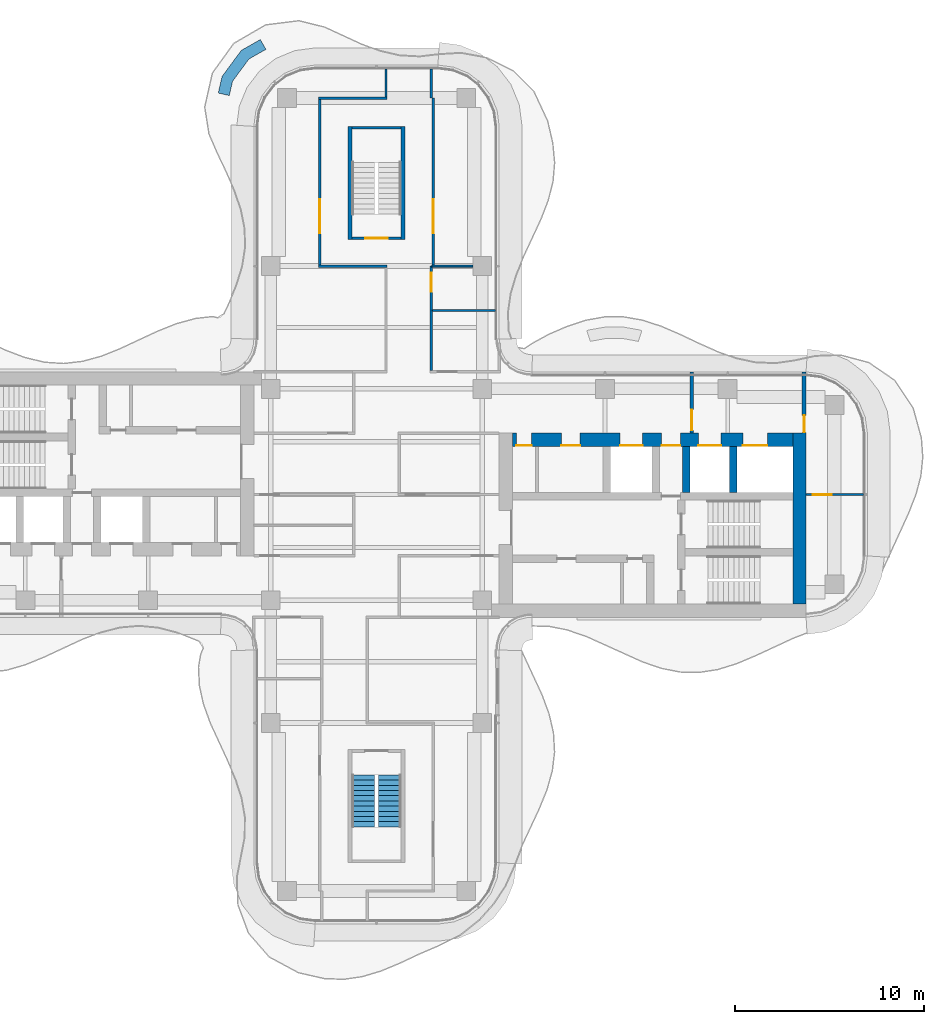
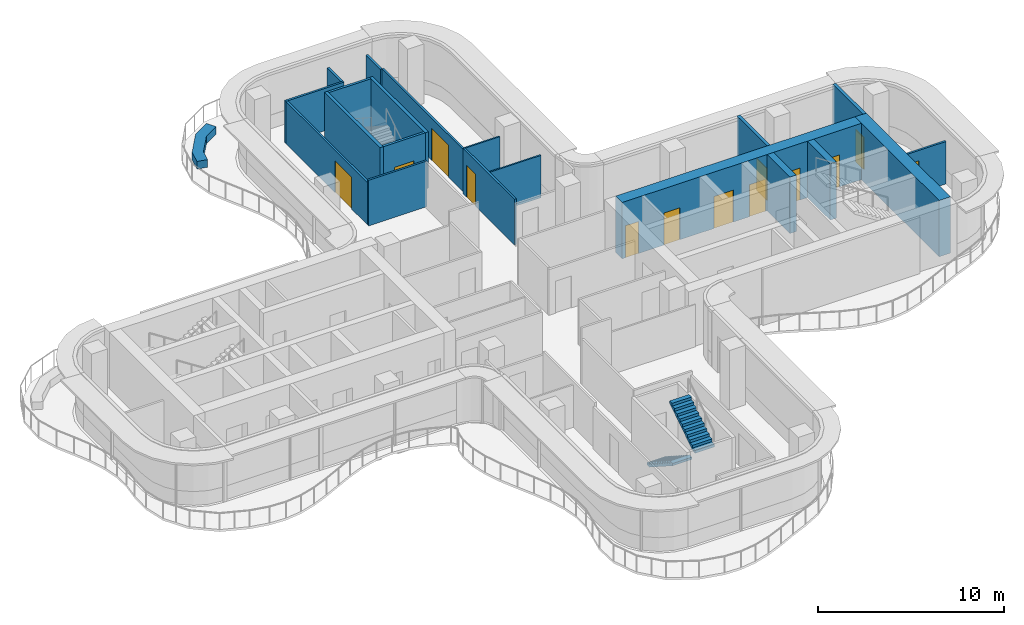
# One storey, part 14 of 17: 21 walls, 13 doors, 2 stair flights, 13 openings, 1 element without a shape of its own.
"""IFC4 building model written with IfcOpenShell, lengths in metres."""

from ifc_helpers import new_model, si_unit, direction, frame, frame_2d, origin, place, context, subcontext, project, spatial, polyline, rectangle, outline, extrude, source, transform, mapped, material, layer, layer_set, type_object, element, fill, aggregate, save


model = new_model("IFC4")

# Units and contexts
model_context = context("Model", 3, precision=1e-05, world=origin(), true_north=direction((0.0, 1.0)))
body_context = subcontext(model_context, "Body", "Model", "MODEL_VIEW")
ifc_project = project(units=[si_unit("LENGTHUNIT", "METRE"), si_unit("AREAUNIT", "SQUARE_METRE"), si_unit("VOLUMEUNIT", "CUBIC_METRE"), si_unit("PLANEANGLEUNIT", "RADIAN"), si_unit("MASSUNIT", "GRAM", prefix="KILO")], contexts=[model_context])

# Site, building, storey
site_placement = place(None, origin())
site = spatial("IfcSite", under=ifc_project, at=site_placement, CompositionType="ELEMENT")
building_placement = place(site_placement, origin())
building = spatial("IfcBuilding", under=site, at=building_placement, Name="Trellis Farm Tower", CompositionType="ELEMENT")
storey_placement = place(building_placement, frame((0.0, 0.0, 283.300048828125)))
storey = spatial("IfcBuildingStorey", under=building, at=storey_placement, Name="L63", CompositionType="ELEMENT", Elevation=283.300048828125)

# Walls
ifc_material_1 = material(Name="Sandstone faced masonry planter", Category="masonry")
ifc_layer_1 = layer(ifc_material_1, 0.60009765625)
ifc_layer_set_1 = layer_set([ifc_layer_1], Name="PLANTER BED 600")
wall_type_1 = type_object("IfcWallType", Name="PLANTER BED 600", PredefinedType="USERDEFINED", material=ifc_layer_set_1)
placement = place(storey_placement, origin())
element("IfcWall", 1, at=placement, inside=storey, type_object=wall_type_1, Name="PLANTER bed", ObjectType="PLANTER", PredefinedType="USERDEFINED", context=body_context, shape_type="SweptSolid", body=[
    extrude(outline(polyline([(-7.162353515625, 23.52880859375), (-6.1552734375, 24.101806640625), (-5.858642578125, 23.580078125), (-6.755126953125, 23.0703125), (-7.624755859375, 21.890869140625), (-7.79736328125, 21.1337890625), (-8.38232421875, 21.26708984375), (-8.181884765625, 22.146240234375), (-7.162353515625, 23.52880859375)])), origin(), (0.0, 0.0, 1.0), 0.5),
])
ifc_material_2 = material(Name="Concrete C50/60", Category="concrete")
ifc_layer_2 = layer(ifc_material_2, 0.699951171875)
ifc_layer_set_2 = layer_set([ifc_layer_2], Name="CORE OUTER WALL 700 CONCRETE C50/60")
wall_type_2 = type_object("IfcWallType", Name="CORE OUTER WALL 700 CONCRETE C50/60", PredefinedType="SHEAR", material=ifc_layer_set_2)
shared_shape_1 = source(origin(), body_context, "Body", "SweptSolid", [
    extrude(rectangle(XDim=9.050048828125, YDim=0.699951171875, at=frame_2d((4.52490234375, 0.0))), origin(), (0.0, 0.0, 1.0), 3.699951171875),
])
wall_2_placement = place(storey_placement, frame((22.39990234375, -5.800048828125, 0.0), z_axis=(0.0, 0.0, 1.0), x_axis=(0.0, 1.0, 0.0)))
element("IfcWall", 2, at=wall_2_placement, inside=storey, type_object=wall_type_2, Name="Core wall", PredefinedType="SHEAR", context=body_context, shape_type="MappedRepresentation", body=[
    mapped(shared_shape_1, transform((0.0, 0.0, 0.0))),
])
ifc_layer_3 = layer(ifc_material_2, 0.39990234375)
ifc_layer_set_3 = layer_set([ifc_layer_3], Name="CORE INNER WALL 400 CONCRETE C50/60")
wall_type_3 = type_object("IfcWallType", Name="CORE INNER WALL 400 CONCRETE C50/60", PredefinedType="SHEAR", material=ifc_layer_set_3)
shared_shape_2 = source(origin(), body_context, "Body", "SweptSolid", [
    extrude(rectangle(XDim=2.449951171875, YDim=0.39990234375, at=frame_2d((1.22509765625, 0.0))), origin(), (0.0, 0.0, 1.0), 3.699951171875),
])
for number, where, z_axis, x_axis, name in (
    (3, (16.39990234375, 0.10009765625, 0.0), (0.0, 0.0, 1.0), (0.0, 1.0, 0.0), "Core wall"),
    (4, (18.89990234375, 0.10009765625, 0.0), (0.0, 0.0, 1.0), (0.0, 1.0, 0.0), "Core wall"),
):
    element("IfcWall", number, at=place(storey_placement, frame(where, z_axis=z_axis, x_axis=x_axis)), inside=storey, type_object=wall_type_3, Name=name, PredefinedType="SHEAR", context=body_context, shape_type="MappedRepresentation", body=[
        mapped(shared_shape_2, transform((0.0, 0.0, 0.0))),
    ])

# Wall, opening, door
ifc_material_3 = material(Name="Masonry blockwork", Category="masonry")
ifc_layer_4 = layer(ifc_material_3, 0.199951171875)
ifc_layer_set_4 = layer_set([ifc_layer_4], Name="FIRE LOBBY PARTITION 200 BLOCKWORK")
wall_type_4 = type_object("IfcWallType", Name="FIRE LOBBY PARTITION 200 BLOCKWORK", PredefinedType="PARTITIONING", material=ifc_layer_set_4)
shared_shape_3 = source(origin(), body_context, "Body", "SweptSolid", [
    extrude(rectangle(XDim=3.25, YDim=0.199951171875, at=frame_2d((1.625, 0.0))), origin(), (0.0, 0.0, 1.0), 3.699951171875),
])
wall_3_placement = place(storey_placement, frame((16.699951171875, 3.25, 0.0), z_axis=(0.0, 0.0, 1.0), x_axis=(0.0, 1.0, 0.0)))
wall_3 = element("IfcWall", 5, at=wall_3_placement, inside=storey, type_object=wall_type_4, Name="Fire-fighting lobby partition", PredefinedType="PARTITIONING", context=body_context, shape_type="MappedRepresentation", body=[
    mapped(shared_shape_3, transform((0.0, 0.0, 0.0))),
])
shared_shape_4 = source(origin(), body_context, "Body", "SweptSolid", [
    extrude(rectangle(XDim=1.10009765625, YDim=2.10009765625, at=frame_2d((0.550048828125, 1.050048828125))), frame((0.0, 0.110107421875, 0.0), z_axis=(0.0, -1.0, 0.0), x_axis=(1.0, 0.0, 0.0)), (0.0, 0.0, 1.0), 0.22021484375),
])
opening_1_placement = place(wall_3_placement, frame((0.14990234375, 0.0, 0.0)))
opening_1 = element("IfcOpeningElement", 6, at=opening_1_placement, cuts=wall_3, Name="Opening DC7", PredefinedType="OPENING", context=body_context, shape_type="MappedRepresentation", body=[
    mapped(shared_shape_4, transform((0.0, 0.0, 0.0))),
])
ifc_material_4 = material(Name="Steel", Category="steel")
door_type_1 = type_object("IfcDoorType", Name="CORE FIRE DOOR 1100 X 2100", OperationType="NOTDEFINED", PredefinedType="DOOR", material=ifc_material_4)
shared_shape_5 = source(origin(), body_context, "Body", "SweptSolid", [
    extrude(rectangle(XDim=1.10009765625, YDim=2.10009765625, at=frame_2d((0.550048828125, 1.050048828125))), frame((0.0, 0.02490234375, 0.0), z_axis=(0.0, -1.0, 0.0), x_axis=(1.0, 0.0, 0.0)), (0.0, 0.0, 1.0), 0.050048828125),
])
door_1_placement = place(opening_1_placement, origin())
door_1 = element("IfcDoor", 7, at=door_1_placement, inside=storey, type_object=door_type_1, Name="Core door", OperationType="SINGLE_SWING_RIGHT", OverallHeight=2.10009765625, OverallWidth=1.10009765625, PredefinedType="DOOR", context=body_context, shape_type="MappedRepresentation", body=[
    mapped(shared_shape_5, transform((0.0, 0.0, 0.0))),
])
fill(opening_1, door_1)

wall_4_placement = place(storey_placement, frame((22.64990234375, 3.25, 0.0), z_axis=(0.0, 0.0, 1.0), x_axis=(0.0, 1.0, 0.0)))
wall_4 = element("IfcWall", 8, at=wall_4_placement, inside=storey, type_object=wall_type_4, Name="Fire-fighting lobby partition", PredefinedType="PARTITIONING", context=body_context, shape_type="MappedRepresentation", body=[
    mapped(shared_shape_3, transform((0.0, 0.0, 0.0))),
])
shared_shape_6 = source(origin(), body_context, "Body", "SweptSolid", [
    extrude(rectangle(XDim=0.89990234375, YDim=2.10009765625, at=frame_2d((0.449951171875, 1.050048828125))), frame((0.0, 0.110107421875, 0.0), z_axis=(0.0, -1.0, 0.0), x_axis=(1.0, 0.0, 0.0)), (0.0, 0.0, 1.0), 0.22021484375),
])
opening_2_placement = place(wall_4_placement, frame((0.050048828125, 0.0, 0.0)))
opening_2 = element("IfcOpeningElement", 9, at=opening_2_placement, cuts=wall_4, Name="Opening DC8", PredefinedType="OPENING", context=body_context, shape_type="MappedRepresentation", body=[
    mapped(shared_shape_6, transform((0.0, 0.0, 0.0))),
])
door_type_2 = type_object("IfcDoorType", Name="CORE FIRE DOOR 900 X 2100", OperationType="NOTDEFINED", PredefinedType="DOOR", material=ifc_material_4)
shared_shape_7 = source(origin(), body_context, "Body", "SweptSolid", [
    extrude(rectangle(XDim=0.89990234375, YDim=2.10009765625, at=frame_2d((0.449951171875, 1.050048828125))), frame((0.0, 0.02490234375, 0.0), z_axis=(0.0, -1.0, 0.0), x_axis=(1.0, 0.0, 0.0)), (0.0, 0.0, 1.0), 0.050048828125),
])
door_2_placement = place(opening_2_placement, origin())
door_2 = element("IfcDoor", 10, at=door_2_placement, inside=storey, type_object=door_type_2, Name="Core door", OperationType="SINGLE_SWING_RIGHT", OverallHeight=2.10009765625, OverallWidth=0.89990234375, PredefinedType="DOOR", context=body_context, shape_type="MappedRepresentation", body=[
    mapped(shared_shape_7, transform((0.0, 0.0, 0.0))),
])
fill(opening_2, door_2)

# Wall, openings, doors
shared_shape_8 = source(origin(), body_context, "Body", "SweptSolid", [
    extrude(rectangle(XDim=14.85009765625, YDim=0.699951171875, at=frame_2d((7.425048828125, 0.0))), origin(), (0.0, 0.0, 1.0), 3.699951171875),
])
wall_5_placement = place(storey_placement, frame((7.199951171875, 2.89990234375, 0.0), z_axis=(0.0, 0.0, 1.0), x_axis=(1.0, 0.0, 0.0)))
wall_5 = element("IfcWall", 11, at=wall_5_placement, inside=storey, type_object=wall_type_2, Name="Core wall", PredefinedType="SHEAR", context=body_context, shape_type="MappedRepresentation", body=[
    mapped(shared_shape_8, transform((0.0, 0.0, 0.0))),
])
shared_shape_9 = source(origin(), body_context, "Body", "SweptSolid", [
    extrude(rectangle(XDim=1.199951171875, YDim=2.10009765625, at=frame_2d((0.60009765625, 1.050048828125))), frame((0.0, 0.360107421875, 0.0), z_axis=(0.0, -1.0, 0.0), x_axis=(1.0, 0.0, 0.0)), (0.0, 0.0, 1.0), 0.72021484375),
])
opening_3_placement = place(wall_5_placement, frame((5.699951171875, 0.0, 0.0)))
opening_3 = element("IfcOpeningElement", 12, at=opening_3_placement, cuts=wall_5, Name="Opening LD6", PredefinedType="OPENING", context=body_context, shape_type="MappedRepresentation", body=[
    mapped(shared_shape_9, transform((0.0, 0.0, 0.0))),
])
shared_shape_10 = source(origin(), body_context, "Body", "SweptSolid", [
    extrude(rectangle(XDim=1.300048828125, YDim=2.10009765625, at=frame_2d((0.64990234375, 1.050048828125))), frame((0.0, 0.360107421875, 0.0), z_axis=(0.0, -1.0, 0.0), x_axis=(1.0, 0.0, 0.0)), (0.0, 0.0, 1.0), 0.72021484375),
])
opening_4_placement = place(wall_5_placement, frame((12.199951171875, 0.0, 0.0)))
opening_4 = element("IfcOpeningElement", 13, at=opening_4_placement, cuts=wall_5, Name="Opening LD7", PredefinedType="OPENING", context=body_context, shape_type="MappedRepresentation", body=[
    mapped(shared_shape_10, transform((0.0, 0.0, 0.0))),
])
opening_5_placement = place(wall_5_placement, frame((9.85009765625, 0.0, 0.0)))
opening_5 = element("IfcOpeningElement", 14, at=opening_5_placement, cuts=wall_5, Name="Opening LD8", PredefinedType="OPENING", context=body_context, shape_type="MappedRepresentation", body=[
    mapped(shared_shape_9, transform((0.0, 0.0, 0.0))),
])
shared_shape_11 = source(origin(), body_context, "Body", "SweptSolid", [
    extrude(rectangle(XDim=1.0, YDim=2.10009765625, at=frame_2d((0.5, 1.050048828125))), frame((0.0, 0.360107421875, 0.0), z_axis=(0.0, -1.0, 0.0), x_axis=(1.0, 0.0, 0.0)), (0.0, 0.0, 1.0), 0.72021484375),
])
opening_6_placement = place(wall_5_placement, frame((7.89990234375, 0.0, 0.0)))
opening_6 = element("IfcOpeningElement", 15, at=opening_6_placement, cuts=wall_5, Name="Opening DC6", PredefinedType="OPENING", context=body_context, shape_type="MappedRepresentation", body=[
    mapped(shared_shape_11, transform((0.0, 0.0, 0.0))),
])
shared_shape_12 = source(origin(), body_context, "Body", "SweptSolid", [
    extrude(rectangle(XDim=0.800048828125, YDim=2.10009765625, at=frame_2d((0.39990234375, 1.050048828125))), frame((0.0, 0.360107421875, 0.0), z_axis=(0.0, -1.0, 0.0), x_axis=(1.0, 0.0, 0.0)), (0.0, 0.0, 1.0), 0.72021484375),
])
opening_7_placement = place(wall_5_placement, frame((0.21240234375, 0.0, 0.0)))
opening_7 = element("IfcOpeningElement", 16, at=opening_7_placement, cuts=wall_5, Name="Opening DC9", PredefinedType="OPENING", context=body_context, shape_type="MappedRepresentation", body=[
    mapped(shared_shape_12, transform((0.0, 0.0, 0.0))),
])
opening_8_placement = place(wall_5_placement, frame((2.58740234375, 0.0, 0.0)))
opening_8 = element("IfcOpeningElement", 17, at=opening_8_placement, cuts=wall_5, Name="Opening DC20", PredefinedType="OPENING", context=body_context, shape_type="MappedRepresentation", body=[
    mapped(shared_shape_11, transform((0.0, 0.0, 0.0))),
])
door_type_3 = type_object("IfcDoorType", Name="CORE FIRE DOOR 1000 X 2100", OperationType="NOTDEFINED", PredefinedType="DOOR", material=ifc_material_4)
shared_shape_13 = source(origin(), body_context, "Body", "SweptSolid", [
    extrude(rectangle(XDim=1.0, YDim=2.10009765625, at=frame_2d((0.5, 1.050048828125))), frame((0.0, -0.27490234375, 0.0), z_axis=(0.0, -1.0, 0.0), x_axis=(1.0, 0.0, 0.0)), (0.0, 0.0, 1.0), 0.050048828125),
])
door_3_placement = place(opening_6_placement, origin())
door_3 = element("IfcDoor", 18, at=door_3_placement, inside=storey, type_object=door_type_3, Name="Core door", OperationType="SINGLE_SWING_LEFT", OverallHeight=2.10009765625, OverallWidth=1.0, PredefinedType="DOOR", context=body_context, shape_type="MappedRepresentation", body=[
    mapped(shared_shape_13, transform((0.0, 0.0, 0.0))),
])
fill(opening_6, door_3)
door_4_placement = place(opening_8_placement, origin())
door_4 = element("IfcDoor", 19, at=door_4_placement, inside=storey, type_object=door_type_3, Name="Core door", OperationType="SINGLE_SWING_RIGHT", OverallHeight=2.10009765625, OverallWidth=1.0, PredefinedType="DOOR", context=body_context, shape_type="MappedRepresentation", body=[
    mapped(shared_shape_13, transform((0.0, 0.0, 0.0))),
])
fill(opening_8, door_4)
ifc_material_5 = material(Name="Stainless steel", Category="steel")
door_type_4 = type_object("IfcDoorType", Name="LIFT LANDING DOOR 1300 X 2100", OperationType="DOUBLE_DOOR_SLIDING", PredefinedType="DOOR", material=ifc_material_5)
shared_shape_14 = source(origin(), body_context, "Body", "SweptSolid", [
    extrude(rectangle(XDim=1.300048828125, YDim=2.10009765625, at=frame_2d((0.64990234375, 1.050048828125))), frame((0.0, -0.27490234375, 0.0), z_axis=(0.0, -1.0, 0.0), x_axis=(1.0, 0.0, 0.0)), (0.0, 0.0, 1.0), 0.050048828125),
])
door_5_placement = place(opening_4_placement, origin())
door_5 = element("IfcDoor", 20, at=door_5_placement, inside=storey, type_object=door_type_4, Name="Lift landing door", OperationType="DOUBLE_DOOR_SLIDING", OverallHeight=2.10009765625, OverallWidth=1.300048828125, PredefinedType="DOOR", context=body_context, shape_type="MappedRepresentation", body=[
    mapped(shared_shape_14, transform((0.0, 0.0, 0.0))),
])
fill(opening_4, door_5)
door_type_5 = type_object("IfcDoorType", Name="LIFT LANDING DOOR 1200 X 2100", OperationType="DOUBLE_DOOR_SLIDING", PredefinedType="DOOR", material=ifc_material_5)
shared_shape_15 = source(origin(), body_context, "Body", "SweptSolid", [
    extrude(rectangle(XDim=1.199951171875, YDim=2.10009765625, at=frame_2d((0.60009765625, 1.050048828125))), frame((0.0, -0.27490234375, 0.0), z_axis=(0.0, -1.0, 0.0), x_axis=(1.0, 0.0, 0.0)), (0.0, 0.0, 1.0), 0.050048828125),
])
door_6_placement = place(opening_3_placement, origin())
door_6 = element("IfcDoor", 21, at=door_6_placement, inside=storey, type_object=door_type_5, Name="Lift landing door", OperationType="DOUBLE_DOOR_SLIDING", OverallHeight=2.10009765625, OverallWidth=1.199951171875, PredefinedType="DOOR", context=body_context, shape_type="MappedRepresentation", body=[
    mapped(shared_shape_15, transform((0.0, 0.0, 0.0))),
])
fill(opening_3, door_6)
door_7_placement = place(opening_5_placement, origin())
door_7 = element("IfcDoor", 22, at=door_7_placement, inside=storey, type_object=door_type_5, Name="Lift landing door", OperationType="DOUBLE_DOOR_SLIDING", OverallHeight=2.10009765625, OverallWidth=1.199951171875, PredefinedType="DOOR", context=body_context, shape_type="MappedRepresentation", body=[
    mapped(shared_shape_15, transform((0.0, 0.0, 0.0))),
])
fill(opening_5, door_7)
door_type_6 = type_object("IfcDoorType", Name="CORE FIRE DOOR 800 X 2100", OperationType="NOTDEFINED", PredefinedType="DOOR", material=ifc_material_4)
shared_shape_16 = source(origin(), body_context, "Body", "SweptSolid", [
    extrude(rectangle(XDim=0.800048828125, YDim=2.10009765625, at=frame_2d((0.39990234375, 1.050048828125))), frame((0.0, -0.27490234375, 0.0), z_axis=(0.0, -1.0, 0.0), x_axis=(1.0, 0.0, 0.0)), (0.0, 0.0, 1.0), 0.050048828125),
])
door_8_placement = place(opening_7_placement, origin())
door_8 = element("IfcDoor", 23, at=door_8_placement, inside=storey, type_object=door_type_6, Name="Core door", OperationType="SINGLE_SWING_LEFT", OverallHeight=2.10009765625, OverallWidth=0.800048828125, PredefinedType="DOOR", context=body_context, shape_type="MappedRepresentation", body=[
    mapped(shared_shape_16, transform((0.0, 0.0, 0.0))),
])
fill(opening_7, door_8)

# Walls
ifc_layer_5 = layer(ifc_material_2, 0.199951171875)
ifc_layer_set_5 = layer_set([ifc_layer_5], Name="CORE STAIR ENCLOSURE WALL 200 CONCRETE C50/60")
wall_type_5 = type_object("IfcWallType", Name="CORE STAIR ENCLOSURE WALL 200 CONCRETE C50/60", PredefinedType="SHEAR", material=ifc_layer_set_5)
shared_shape_17 = source(origin(), body_context, "Body", "SweptSolid", [
    extrude(rectangle(XDim=6.0, YDim=0.199951171875, at=frame_2d((3.0, 0.0))), origin(), (0.0, 0.0, 1.0), 3.699951171875),
])
for number, where, z_axis, x_axis, name in (
    (24, (-1.39990234375, 13.5, 0.0), (0.0, 0.0, 1.0), (0.0, 1.0, 0.0), "Stair enclosure wall"),
    (25, (1.39990234375, 13.5, 0.0), (0.0, 0.0, 1.0), (0.0, 1.0, 0.0), "Stair enclosure wall"),
):
    element("IfcWall", number, at=place(storey_placement, frame(where, z_axis=z_axis, x_axis=x_axis)), inside=storey, type_object=wall_type_5, Name=name, PredefinedType="SHEAR", context=body_context, shape_type="MappedRepresentation", body=[
        mapped(shared_shape_17, transform((0.0, 0.0, 0.0))),
    ])

# Wall, opening, door
ifc_layer_6 = layer(ifc_material_2, 0.14990234375)
ifc_layer_set_6 = layer_set([ifc_layer_6], Name="CORE STAIR ENCLOSURE WALL 150 CONCRETE C50/60")
wall_type_6 = type_object("IfcWallType", Name="CORE STAIR ENCLOSURE WALL 150 CONCRETE C50/60", PredefinedType="SHEAR", material=ifc_layer_set_6)
shared_shape_18 = source(origin(), body_context, "Body", "SweptSolid", [
    extrude(rectangle(XDim=2.60009765625, YDim=0.14990234375, at=frame_2d((1.300048828125, 0.0))), origin(), (0.0, 0.0, 1.0), 3.699951171875),
])
wall_6_placement = place(storey_placement, frame((-1.300048828125, 13.574951171875, 0.0), z_axis=(0.0, 0.0, 1.0), x_axis=(1.0, 0.0, 0.0)))
wall_6 = element("IfcWall", 26, at=wall_6_placement, inside=storey, type_object=wall_type_6, Name="Stair enclosure wall", PredefinedType="SHEAR", context=body_context, shape_type="MappedRepresentation", body=[
    mapped(shared_shape_18, transform((0.0, 0.0, 0.0))),
])
shared_shape_19 = source(origin(), body_context, "Body", "SweptSolid", [
    extrude(rectangle(XDim=1.199951171875, YDim=2.10009765625, at=frame_2d((0.60009765625, 1.050048828125))), frame((0.0, 0.0849609375, 0.0), z_axis=(0.0, -1.0, 0.0), x_axis=(1.0, 0.0, 0.0)), (0.0, 0.0, 1.0), 0.169921875),
])
opening_9_placement = place(wall_6_placement, frame((0.699951171875, 0.0, 0.0)))
opening_9 = element("IfcOpeningElement", 27, at=opening_9_placement, cuts=wall_6, Name="Opening DC173", PredefinedType="OPENING", context=body_context, shape_type="MappedRepresentation", body=[
    mapped(shared_shape_19, transform((0.0, 0.0, 0.0))),
])
door_type_7 = type_object("IfcDoorType", Name="CORE FIRE DOOR 1200 X 2100", OperationType="NOTDEFINED", PredefinedType="DOOR", material=ifc_material_4)
shared_shape_20 = source(origin(), body_context, "Body", "SweptSolid", [
    extrude(rectangle(XDim=1.199951171875, YDim=2.10009765625, at=frame_2d((0.60009765625, 1.050048828125))), frame((0.0, 0.02490234375, 0.0), z_axis=(0.0, -1.0, 0.0), x_axis=(1.0, 0.0, 0.0)), (0.0, 0.0, 1.0), 0.050048828125),
])
door_9_placement = place(opening_9_placement, origin())
door_9 = element("IfcDoor", 28, at=door_9_placement, inside=storey, type_object=door_type_7, Name="Core door", OperationType="SINGLE_SWING_LEFT", OverallHeight=2.10009765625, OverallWidth=1.199951171875, PredefinedType="DOOR", context=body_context, shape_type="MappedRepresentation", body=[
    mapped(shared_shape_20, transform((0.0, 0.0, 0.0))),
])
fill(opening_9, door_9)

# Wall
wall_7_placement = place(storey_placement, frame((-1.300048828125, 19.425048828125, 0.0), z_axis=(0.0, 0.0, 1.0), x_axis=(1.0, 0.0, 0.0)))
element("IfcWall", 29, at=wall_7_placement, inside=storey, type_object=wall_type_6, Name="Stair enclosure wall", PredefinedType="SHEAR", context=body_context, shape_type="MappedRepresentation", body=[
    mapped(shared_shape_18, transform((0.0, 0.0, 0.0))),
])

# Wall, opening, door
ifc_material_6 = material(Name="Plasterboard on steel studs, mineral wool", Category="steel")
ifc_layer_7 = layer(ifc_material_6, 0.125)
ifc_layer_set_7 = layer_set([ifc_layer_7], Name="PARTITION 125 STUD EI 60")
wall_type_7 = type_object("IfcWallType", Name="PARTITION 125 STUD EI 60", PredefinedType="PARTITIONING", material=ifc_layer_set_7)
shared_shape_21 = source(origin(), body_context, "Body", "SweptSolid", [
    extrude(rectangle(XDim=5.53759765625, YDim=0.125, at=frame_2d((2.768798828125, 0.0))), origin(), (0.0, 0.0, 1.0), 2.99658203125),
])
wall_8_placement = place(storey_placement, frame((2.89990234375, 12.10009765625, 0.0), z_axis=(0.0, 0.0, 1.0), x_axis=(0.0, -1.0, 0.0)))
wall_8 = element("IfcWall", 30, at=wall_8_placement, inside=storey, type_object=wall_type_7, Name="Partition PW1", PredefinedType="PARTITIONING", context=body_context, shape_type="MappedRepresentation", body=[
    mapped(shared_shape_21, transform((0.0, 0.0, 0.0))),
])
shared_shape_22 = source(origin(), body_context, "Body", "SweptSolid", [
    extrude(rectangle(XDim=1.0, YDim=2.10009765625, at=frame_2d((0.5, 1.050048828125))), frame((0.0, 0.072509765625, 0.0), z_axis=(0.0, -1.0, 0.0), x_axis=(1.0, 0.0, 0.0)), (0.0, 0.0, 1.0), 0.14501953125),
])
opening_10_placement = place(wall_8_placement, frame((0.35009765625, 0.0, 0.0)))
opening_10 = element("IfcOpeningElement", 31, at=opening_10_placement, cuts=wall_8, Name="Opening D110", PredefinedType="OPENING", context=body_context, shape_type="MappedRepresentation", body=[
    mapped(shared_shape_22, transform((0.0, 0.0, 0.0))),
])
ifc_material_7 = material(Name="Fire-rated timber door leaf in a hollow metal frame", Category="wood")
door_type_8 = type_object("IfcDoorType", Name="DOOR 1000x2100 FD30S", OperationType="NOTDEFINED", PredefinedType="DOOR", material=ifc_material_7)
shared_shape_23 = source(origin(), body_context, "Body", "SweptSolid", [
    extrude(rectangle(XDim=1.0, YDim=2.10009765625, at=frame_2d((0.5, 1.050048828125))), frame((0.0, 0.02490234375, 0.0), z_axis=(0.0, -1.0, 0.0), x_axis=(1.0, 0.0, 0.0)), (0.0, 0.0, 1.0), 0.050048828125),
])
door_10_placement = place(opening_10_placement, origin())
door_10 = element("IfcDoor", 32, at=door_10_placement, inside=storey, type_object=door_type_8, Name="Door D110", OperationType="SINGLE_SWING_LEFT", OverallHeight=2.10009765625, OverallWidth=1.0, PredefinedType="DOOR", context=body_context, shape_type="MappedRepresentation", body=[
    mapped(shared_shape_23, transform((0.0, 0.0, 0.0))),
])
fill(opening_10, door_10)

# Wall
shared_shape_24 = source(origin(), body_context, "Body", "SweptSolid", [
    extrude(rectangle(XDim=3.625, YDim=0.125, at=frame_2d((1.8125, 0.0))), origin(), (0.0, 0.0, 1.0), 2.99658203125),
])
wall_9_placement = place(storey_placement, frame((0.5625, 12.10009765625, 0.0), z_axis=(0.0, 0.0, 1.0), x_axis=(-1.0, 0.0, 0.0)))
element("IfcWall", 33, at=wall_9_placement, inside=storey, type_object=wall_type_7, Name="Partition PW1", PredefinedType="PARTITIONING", context=body_context, shape_type="MappedRepresentation", body=[
    mapped(shared_shape_24, transform((0.0, 0.0, 0.0))),
])

# Wall, opening, door
shared_shape_25 = source(origin(), body_context, "Body", "SweptSolid", [
    extrude(rectangle(XDim=8.77490234375, YDim=0.125, at=frame_2d((4.387451171875, 0.0))), origin(), (0.0, 0.0, 1.0), 2.780029296875),
])
wall_10_placement = place(storey_placement, frame((-3.0, 12.16259765625, 0.0), z_axis=(0.0, 0.0, 1.0), x_axis=(0.0, 1.0, 0.0)))
wall_10 = element("IfcWall", 34, at=wall_10_placement, inside=storey, type_object=wall_type_7, Name="Partition PW1", PredefinedType="PARTITIONING", context=body_context, shape_type="MappedRepresentation", body=[
    mapped(shared_shape_25, transform((0.0, 0.0, 0.0))),
])
shared_shape_26 = source(origin(), body_context, "Body", "SweptSolid", [
    extrude(rectangle(XDim=1.800048828125, YDim=2.10009765625, at=frame_2d((0.89990234375, 1.050048828125))), frame((0.0, 0.072509765625, 0.0), z_axis=(0.0, -1.0, 0.0), x_axis=(1.0, 0.0, 0.0)), (0.0, 0.0, 1.0), 0.14501953125),
])
opening_11_placement = place(wall_10_placement, frame((1.6875, 0.0, 0.0)))
opening_11 = element("IfcOpeningElement", 35, at=opening_11_placement, cuts=wall_10, Name="Opening D202", PredefinedType="OPENING", context=body_context, shape_type="MappedRepresentation", body=[
    mapped(shared_shape_26, transform((0.0, 0.0, 0.0))),
])
door_type_9 = type_object("IfcDoorType", Name="DOOR PAIR 1800x2100 FD30S", OperationType="NOTDEFINED", PredefinedType="DOOR", material=ifc_material_7)
shared_shape_27 = source(origin(), body_context, "Body", "SweptSolid", [
    extrude(rectangle(XDim=1.800048828125, YDim=2.10009765625, at=frame_2d((0.89990234375, 1.050048828125))), frame((0.0, 0.02490234375, 0.0), z_axis=(0.0, -1.0, 0.0), x_axis=(1.0, 0.0, 0.0)), (0.0, 0.0, 1.0), 0.050048828125),
])
door_11_placement = place(opening_11_placement, origin())
door_11 = element("IfcDoor", 36, at=door_11_placement, inside=storey, type_object=door_type_9, Name="Door D202", OperationType="DOUBLE_DOOR_SINGLE_SWING", OverallHeight=2.10009765625, OverallWidth=1.800048828125, PredefinedType="DOOR", context=body_context, shape_type="MappedRepresentation", body=[
    mapped(shared_shape_27, transform((0.0, 0.0, 0.0))),
])
fill(opening_11, door_11)

# Walls
shared_shape_28 = source(origin(), body_context, "Body", "SweptSolid", [
    extrude(rectangle(XDim=1.487548828125, YDim=0.125, at=frame_2d((0.74365234375, 0.0))), origin(), (0.0, 0.0, 1.0), 2.780029296875),
])
wall_11_placement = place(storey_placement, frame((0.5, 22.550048828125, 0.0), z_axis=(0.0, 0.0, 1.0), x_axis=(0.0, -1.0, 0.0)))
element("IfcWall", 37, at=wall_11_placement, inside=storey, type_object=wall_type_7, Name="Partition PW1", PredefinedType="PARTITIONING", context=body_context, shape_type="MappedRepresentation", body=[
    mapped(shared_shape_28, transform((0.0, 0.0, 0.0))),
])
shared_shape_29 = source(origin(), body_context, "Body", "SweptSolid", [
    extrude(rectangle(XDim=1.550048828125, YDim=0.125, at=frame_2d((0.77490234375, 0.0))), origin(), (0.0, 0.0, 1.0), 2.780029296875),
])
wall_12_placement = place(storey_placement, frame((2.89990234375, 22.550048828125, 0.0), z_axis=(0.0, 0.0, 1.0), x_axis=(0.0, -1.0, 0.0)))
element("IfcWall", 38, at=wall_12_placement, inside=storey, type_object=wall_type_7, Name="Partition PW1", PredefinedType="PARTITIONING", context=body_context, shape_type="MappedRepresentation", body=[
    mapped(shared_shape_29, transform((0.0, 0.0, 0.0))),
])
shared_shape_30 = source(origin(), body_context, "Body", "SweptSolid", [
    extrude(rectangle(XDim=3.625, YDim=0.125, at=frame_2d((1.8125, 0.0))), origin(), (0.0, 0.0, 1.0), 2.780029296875),
])
wall_13_placement = place(storey_placement, frame((-3.0625, 21.0, 0.0), z_axis=(0.0, 0.0, 1.0), x_axis=(1.0, 0.0, 0.0)))
element("IfcWall", 39, at=wall_13_placement, inside=storey, type_object=wall_type_7, Name="Partition PW1", PredefinedType="PARTITIONING", context=body_context, shape_type="MappedRepresentation", body=[
    mapped(shared_shape_30, transform((0.0, 0.0, 0.0))),
])

# Wall, opening, door
shared_shape_31 = source(origin(), body_context, "Body", "SweptSolid", [
    extrude(rectangle(XDim=3.050048828125, YDim=0.125, at=frame_2d((1.52490234375, 0.0))), origin(), (0.0, 0.0, 1.0), 2.780029296875),
])
wall_14_placement = place(storey_placement, frame((25.800048828125, 0.0, 0.0), z_axis=(0.0, 0.0, 1.0), x_axis=(-1.0, 0.0, 0.0)))
wall_14 = element("IfcWall", 40, at=wall_14_placement, inside=storey, type_object=wall_type_7, Name="Partition PW1", PredefinedType="PARTITIONING", context=body_context, shape_type="MappedRepresentation", body=[
    mapped(shared_shape_31, transform((0.0, 0.0, 0.0))),
])
opening_12_placement = place(wall_14_placement, frame((1.699951171875, 0.0, 0.0)))
opening_12 = element("IfcOpeningElement", 41, at=opening_12_placement, cuts=wall_14, Name="Opening D107", PredefinedType="OPENING", context=body_context, shape_type="MappedRepresentation", body=[
    mapped(shared_shape_22, transform((0.0, 0.0, 0.0))),
])
door_12_placement = place(opening_12_placement, origin())
door_12 = element("IfcDoor", 42, at=door_12_placement, inside=storey, type_object=door_type_8, Name="Door D107", OperationType="SINGLE_SWING_RIGHT", OverallHeight=2.10009765625, OverallWidth=1.0, PredefinedType="DOOR", context=body_context, shape_type="MappedRepresentation", body=[
    mapped(shared_shape_23, transform((0.0, 0.0, 0.0))),
])
fill(opening_12, door_12)

shared_shape_32 = source(origin(), body_context, "Body", "SweptSolid", [
    extrude(rectangle(XDim=8.85009765625, YDim=0.125, at=frame_2d((4.425048828125, 0.0))), origin(), (0.0, 0.0, 1.0), 2.780029296875),
])
wall_15_placement = place(storey_placement, frame((3.0, 21.0, 0.0), z_axis=(0.0, 0.0, 1.0), x_axis=(0.0, -1.0, 0.0)))
wall_15 = element("IfcWall", 43, at=wall_15_placement, inside=storey, type_object=wall_type_7, Name="Partition PW1", PredefinedType="PARTITIONING", context=body_context, shape_type="MappedRepresentation", body=[
    mapped(shared_shape_32, transform((0.0, 0.0, 0.0))),
])
opening_13_placement = place(wall_15_placement, frame((5.35009765625, 0.0, 0.0)))
opening_13 = element("IfcOpeningElement", 44, at=opening_13_placement, cuts=wall_15, Name="Opening D203", PredefinedType="OPENING", context=body_context, shape_type="MappedRepresentation", body=[
    mapped(shared_shape_26, transform((0.0, 0.0, 0.0))),
])
door_13_placement = place(opening_13_placement, origin())
door_13 = element("IfcDoor", 45, at=door_13_placement, inside=storey, type_object=door_type_9, Name="Door D203", OperationType="DOUBLE_DOOR_SINGLE_SWING", OverallHeight=2.10009765625, OverallWidth=1.800048828125, PredefinedType="DOOR", context=body_context, shape_type="MappedRepresentation", body=[
    mapped(shared_shape_27, transform((0.0, 0.0, 0.0))),
])
fill(opening_13, door_13)

# Walls
ifc_material_8 = material(Name="Plasterboard on steel studs", Category="steel")
ifc_layer_8 = layer(ifc_material_8, 0.10009765625)
ifc_layer_set_8 = layer_set([ifc_layer_8], Name="PARTITION 100 STUD EI 30")
wall_type_8 = type_object("IfcWallType", Name="PARTITION 100 STUD EI 30", PredefinedType="PARTITIONING", material=ifc_layer_set_8)
shared_shape_33 = source(origin(), body_context, "Body", "SweptSolid", [
    extrude(rectangle(XDim=3.337646484375, YDim=0.10009765625, at=frame_2d((1.6689453125, 0.0))), origin(), (0.0, 0.0, 1.0), 2.780029296875),
])
wall_16_placement = place(storey_placement, frame((2.96240234375, 9.75, 0.0), z_axis=(0.0, 0.0, 1.0), x_axis=(1.0, 0.0, 0.0)))
element("IfcWall", 46, at=wall_16_placement, inside=storey, type_object=wall_type_8, Name="Partition PW2", PredefinedType="PARTITIONING", context=body_context, shape_type="MappedRepresentation", body=[
    mapped(shared_shape_33, transform((0.0, 0.0, 0.0))),
])
shared_shape_34 = source(origin(), body_context, "Body", "SweptSolid", [
    extrude(rectangle(XDim=2.16259765625, YDim=0.10009765625, at=frame_2d((1.081298828125, 0.0))), origin(), (0.0, 0.0, 1.0), 2.99658203125),
])
wall_17_placement = place(storey_placement, frame((2.9375, 12.10009765625, 0.0), z_axis=(0.0, 0.0, 1.0), x_axis=(1.0, 0.0, 0.0)))
element("IfcWall", 47, at=wall_17_placement, inside=storey, type_object=wall_type_8, Name="Partition PW2", PredefinedType="PARTITIONING", context=body_context, shape_type="MappedRepresentation", body=[
    mapped(shared_shape_34, transform((0.0, 0.0, 0.0))),
])

# Stair, stair flights
stair_type = type_object("IfcStairType", Name="CORE EXIT STAIR 22 RISERS 177 MM", PredefinedType="HALF_TURN_STAIR", material=ifc_material_2)
stair = element("IfcStair", 48, at=placement, inside=storey, type_object=stair_type, Name="Exit stair S", PredefinedType="HALF_TURN_STAIR")
stair_flight_type = type_object("IfcStairFlightType", Name="STAIR FLIGHT 11 RISERS 177 MM", PredefinedType="STRAIGHT", material=ifc_material_2)
shared_shape_35 = source(origin(), body_context, "Body", "SweptSolid", [
    extrude(outline(polyline([(0.0, 0.0), (0.0, 0.17724609375), (0.27490234375, 0.17724609375), (0.27490234375, 0.3544921875), (0.550048828125, 0.3544921875), (0.550048828125, 0.53173828125), (0.824951171875, 0.53173828125), (0.824951171875, 0.708984375), (1.10009765625, 0.708984375), (1.10009765625, 0.886474609375), (1.375, 0.886474609375), (1.375, 1.063720703125), (1.64990234375, 1.063720703125), (1.64990234375, 1.240966796875), (1.925048828125, 1.240966796875), (1.925048828125, 1.418212890625), (2.199951171875, 1.418212890625), (2.199951171875, 1.595458984375), (2.47509765625, 1.595458984375), (2.47509765625, 1.772705078125), (2.75, 1.772705078125), (2.75, 1.949951171875), (2.75, 1.6181640625), (0.23974609375, 0.0), (0.0, 0.0)])), frame((0.0, 0.60009765625, 0.0), z_axis=(0.0, -1.0, 0.0), x_axis=(1.0, 0.0, 0.0)), (0.0, 0.0, 1.0), 1.199951171875),
])
stair_flight_1_placement = place(storey_placement, frame((-0.699951171875, -14.85009765625, 0.0), z_axis=(0.0, 0.0, 1.0), x_axis=(0.0, -1.0, 0.0)))
stair_flight_1 = element("IfcStairFlight", 49, at=stair_flight_1_placement, type_object=stair_flight_type, Name="STS flight 1", NumberOfRisers=11, NumberOfTreads=10, PredefinedType="STRAIGHT", RiserHeight=0.177272727, TreadLength=0.275, context=body_context, shape_type="MappedRepresentation", body=[
    mapped(shared_shape_35, transform((0.0, 0.0, 0.0))),
])
stair_flight_2_placement = place(storey_placement, frame((0.699951171875, -17.60009765625, 1.949951171875), z_axis=(0.0, 0.0, 1.0), x_axis=(0.0, 1.0, 0.0)))
stair_flight_2 = element("IfcStairFlight", 50, at=stair_flight_2_placement, type_object=stair_flight_type, Name="STS flight 2", NumberOfRisers=11, NumberOfTreads=10, PredefinedType="STRAIGHT", RiserHeight=0.177272727, TreadLength=0.275, context=body_context, shape_type="MappedRepresentation", body=[
    mapped(shared_shape_35, transform((0.0, 0.0, 0.0))),
])
aggregate(stair, [stair_flight_1, stair_flight_2])

save(model, "model.ifc")
